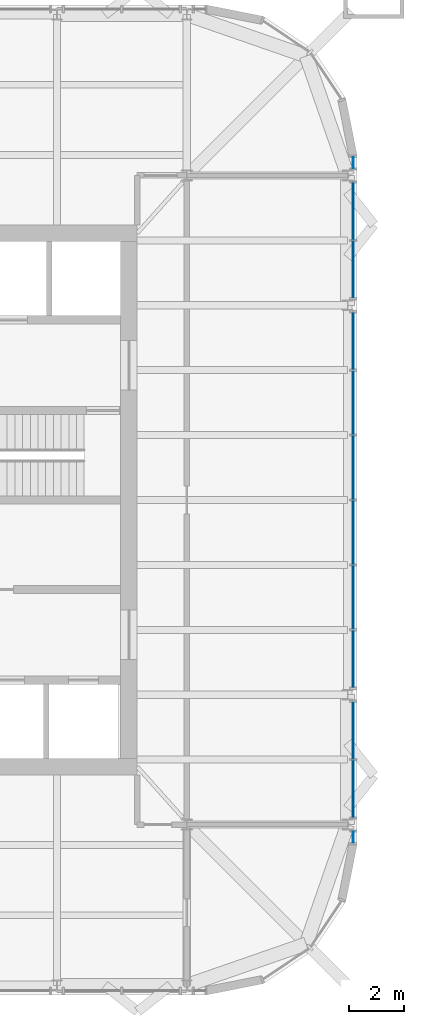
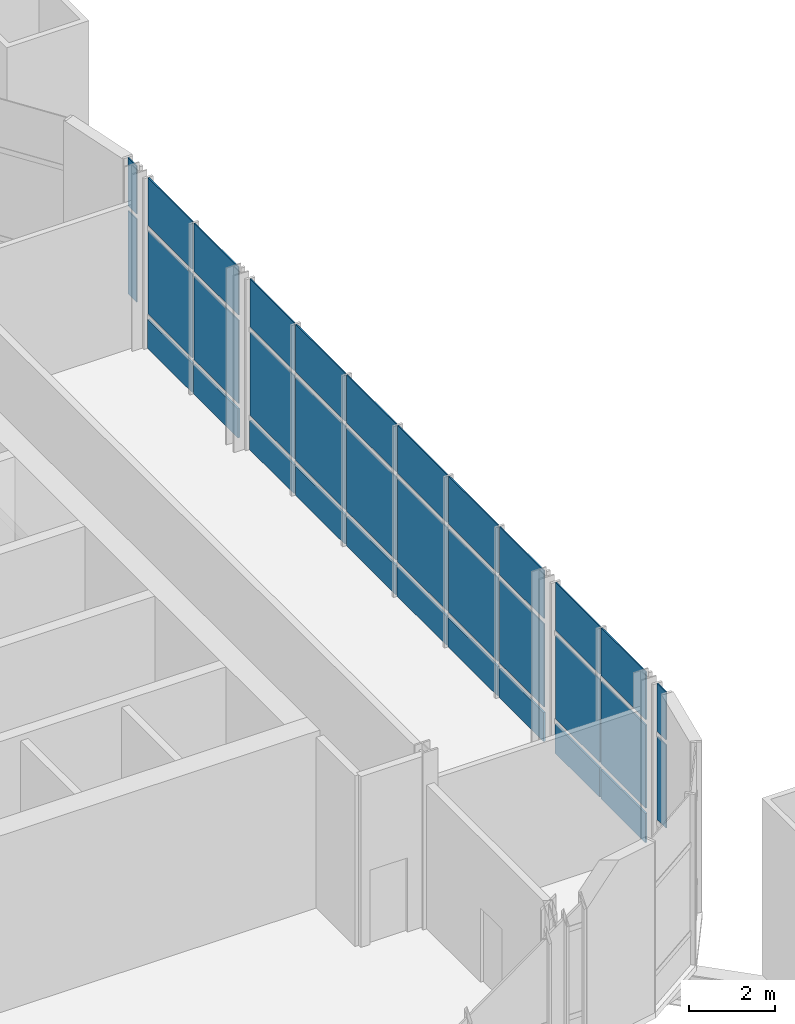
# One storey, part 11 of 15: 34 plates, 5 elements without a shape of their own.
"""IFC4 building model written with IfcOpenShell, lengths in metres."""

from ifc_helpers import new_model, si_unit, direction, frame, origin, origin_2d, place, context, subcontext, project, spatial, rectangle, extrude, material, layer, layer_set, type_object, element, aggregate, save


model = new_model("IFC4")

# Units and contexts
model_context = context("Model", 3, precision=1e-05, world=origin(), true_north=direction((0.0, 1.0)))
body_context = subcontext(model_context, "Body", "Model", "MODEL_VIEW")
ifc_project = project(units=[si_unit("LENGTHUNIT", "METRE"), si_unit("AREAUNIT", "SQUARE_METRE"), si_unit("VOLUMEUNIT", "CUBIC_METRE"), si_unit("PLANEANGLEUNIT", "RADIAN"), si_unit("MASSUNIT", "GRAM", prefix="KILO")], contexts=[model_context])

# Site, building, storey
site_placement = place(None, origin())
site = spatial("IfcSite", under=ifc_project, at=site_placement, CompositionType="ELEMENT")
building_placement = place(site_placement, origin())
building = spatial("IfcBuilding", under=site, at=building_placement, Name="Turquesa Mirador Hotel Tower", CompositionType="ELEMENT")
storey_placement = place(building_placement, frame((0.0, 0.0, 261.699951171875)))
storey = spatial("IfcBuildingStorey", under=building, at=storey_placement, Name="L71", CompositionType="ELEMENT", Elevation=261.699951171875)

# Curtain wall, plates
ifc_material_1 = material(Name="Aluminium extrusion", Category="aluminium")
curtain_wall_type = type_object("IfcCurtainWallType", Name="CW-5 SKY RESTAURANT CURTAIN WALL", PredefinedType="USERDEFINED", material=ifc_material_1)
curtain_wall_1_placement = place(storey_placement, origin())
curtain_wall_1 = element("IfcCurtainWall", 1, at=curtain_wall_1_placement, inside=storey, type_object=curtain_wall_type, Name="CW-5 SKY RESTAURANT CURTAIN WALL L71", ObjectType="CURTAIN WALL", PredefinedType="USERDEFINED")
ifc_material_2 = material(Name="Ceramic-printed spandrel glass on an insulated back pan", Category="glass")
ifc_layer_1 = layer(ifc_material_2, 0.050048828125)
ifc_layer_set_1 = layer_set([ifc_layer_1], Name="CW PANEL SPANDREL CERAMIC")
plate_type_1 = type_object("IfcPlateType", Name="CW PANEL SPANDREL CERAMIC", PredefinedType="CURTAIN_PANEL", material=ifc_layer_set_1)
plate_1_placement = place(storey_placement, frame((72.85009765625, 34.496826171875, 0.0), z_axis=(0.0, 0.0, 1.0), x_axis=(0.0, 1.0, 0.0)))
plate_1 = element("IfcPlate", 2, at=plate_1_placement, type_object=plate_type_1, Name="Panel", PredefinedType="CURTAIN_PANEL", context=body_context, shape_type="SweptSolid", body=[
    extrude(rectangle(XDim=2.06103515625, YDim=0.050048828125, at=origin_2d()), origin(), (0.0, 0.0, 1.0), 0.824951171875),
])
plate_2_placement = place(storey_placement, frame((72.85009765625, 36.623046875, 0.0), z_axis=(0.0, 0.0, 1.0), x_axis=(0.0, 1.0, 0.0)))
plate_2 = element("IfcPlate", 3, at=plate_2_placement, type_object=plate_type_1, Name="Panel", PredefinedType="CURTAIN_PANEL", context=body_context, shape_type="SweptSolid", body=[
    extrude(rectangle(XDim=2.06103515625, YDim=0.050048828125, at=origin_2d()), origin(), (0.0, 0.0, 1.0), 0.824951171875),
])

curtain_wall_2_placement = place(storey_placement, origin())
curtain_wall_2 = element("IfcCurtainWall", 4, at=curtain_wall_2_placement, inside=storey, type_object=curtain_wall_type, Name="CW-5 SKY RESTAURANT CURTAIN WALL L71", ObjectType="CURTAIN WALL", PredefinedType="USERDEFINED")
plate_3_placement = place(storey_placement, frame((72.85009765625, 39.217041015625, 0.0), z_axis=(0.0, 0.0, 1.0), x_axis=(0.0, 1.0, 0.0)))
plate_3 = element("IfcPlate", 5, at=plate_3_placement, type_object=plate_type_1, Name="Panel", PredefinedType="CURTAIN_PANEL", context=body_context, shape_type="SweptSolid", body=[
    extrude(rectangle(XDim=2.06103515625, YDim=0.050048828125, at=origin_2d()), origin(), (0.0, 0.0, 1.0), 0.824951171875),
])
plate_4_placement = place(storey_placement, frame((72.85009765625, 41.4599609375, 0.0), z_axis=(0.0, 0.0, 1.0), x_axis=(0.0, 1.0, 0.0)))
plate_4 = element("IfcPlate", 6, at=plate_4_placement, type_object=plate_type_1, Name="Panel", PredefinedType="CURTAIN_PANEL", context=body_context, shape_type="SweptSolid", body=[
    extrude(rectangle(XDim=2.294921875, YDim=0.050048828125, at=origin_2d()), origin(), (0.0, 0.0, 1.0), 0.824951171875),
])
plate_5_placement = place(storey_placement, frame((72.85009765625, 43.820068359375, 0.0), z_axis=(0.0, 0.0, 1.0), x_axis=(0.0, 1.0, 0.0)))
plate_5 = element("IfcPlate", 7, at=plate_5_placement, type_object=plate_type_1, Name="Panel", PredefinedType="CURTAIN_PANEL", context=body_context, shape_type="SweptSolid", body=[
    extrude(rectangle(XDim=2.294921875, YDim=0.050048828125, at=origin_2d()), origin(), (0.0, 0.0, 1.0), 0.824951171875),
])
plate_6_placement = place(storey_placement, frame((72.85009765625, 46.179931640625, 0.0), z_axis=(0.0, 0.0, 1.0), x_axis=(0.0, 1.0, 0.0)))
plate_6 = element("IfcPlate", 8, at=plate_6_placement, type_object=plate_type_1, Name="Panel", PredefinedType="CURTAIN_PANEL", context=body_context, shape_type="SweptSolid", body=[
    extrude(rectangle(XDim=2.294921875, YDim=0.050048828125, at=origin_2d()), origin(), (0.0, 0.0, 1.0), 0.824951171875),
])
plate_7_placement = place(storey_placement, frame((72.85009765625, 48.5400390625, 0.0), z_axis=(0.0, 0.0, 1.0), x_axis=(0.0, 1.0, 0.0)))
plate_7 = element("IfcPlate", 9, at=plate_7_placement, type_object=plate_type_1, Name="Panel", PredefinedType="CURTAIN_PANEL", context=body_context, shape_type="SweptSolid", body=[
    extrude(rectangle(XDim=2.294921875, YDim=0.050048828125, at=origin_2d()), origin(), (0.0, 0.0, 1.0), 0.824951171875),
])
plate_8_placement = place(storey_placement, frame((72.85009765625, 50.782958984375, 0.0), z_axis=(0.0, 0.0, 1.0), x_axis=(0.0, 1.0, 0.0)))
plate_8 = element("IfcPlate", 10, at=plate_8_placement, type_object=plate_type_1, Name="Panel", PredefinedType="CURTAIN_PANEL", context=body_context, shape_type="SweptSolid", body=[
    extrude(rectangle(XDim=2.06103515625, YDim=0.050048828125, at=origin_2d()), origin(), (0.0, 0.0, 1.0), 0.824951171875),
])

curtain_wall_3_placement = place(storey_placement, origin())
curtain_wall_3 = element("IfcCurtainWall", 11, at=curtain_wall_3_placement, inside=storey, type_object=curtain_wall_type, Name="CW-5 SKY RESTAURANT CURTAIN WALL L71", ObjectType="CURTAIN WALL", PredefinedType="USERDEFINED")
plate_9_placement = place(storey_placement, frame((72.85009765625, 53.376953125, 0.0), z_axis=(0.0, 0.0, 1.0), x_axis=(0.0, 1.0, 0.0)))
plate_9 = element("IfcPlate", 12, at=plate_9_placement, type_object=plate_type_1, Name="Panel", PredefinedType="CURTAIN_PANEL", context=body_context, shape_type="SweptSolid", body=[
    extrude(rectangle(XDim=2.06103515625, YDim=0.050048828125, at=origin_2d()), origin(), (0.0, 0.0, 1.0), 0.824951171875),
])
plate_10_placement = place(storey_placement, frame((72.85009765625, 55.503173828125, 0.0), z_axis=(0.0, 0.0, 1.0), x_axis=(0.0, 1.0, 0.0)))
plate_10 = element("IfcPlate", 13, at=plate_10_placement, type_object=plate_type_1, Name="Panel", PredefinedType="CURTAIN_PANEL", context=body_context, shape_type="SweptSolid", body=[
    extrude(rectangle(XDim=2.06103515625, YDim=0.050048828125, at=origin_2d()), origin(), (0.0, 0.0, 1.0), 0.824951171875),
])

curtain_wall_4_placement = place(storey_placement, origin())
curtain_wall_4 = element("IfcCurtainWall", 14, at=curtain_wall_4_placement, inside=storey, type_object=curtain_wall_type, Name="CW-5 SKY RESTAURANT CURTAIN WALL L71", ObjectType="CURTAIN WALL", PredefinedType="USERDEFINED")
ifc_material_3 = material(Name="Ceramic-fritted laminated glass", Category="glass")
ifc_layer_2 = layer(ifc_material_3, 0.031982421875)
ifc_layer_set_2 = layer_set([ifc_layer_2], Name="CW PANEL VISION FRITTED")
plate_type_2 = type_object("IfcPlateType", Name="CW PANEL VISION FRITTED", PredefinedType="CURTAIN_PANEL", material=ifc_layer_set_2)
plate_11_placement = place(storey_placement, frame((72.85009765625, 32.733154296875, 0.97509765625), z_axis=(0.0, 0.0, 1.0), x_axis=(0.0, 1.0, 0.0)))
plate_11 = element("IfcPlate", 15, at=plate_11_placement, type_object=plate_type_2, Name="Panel", PredefinedType="CURTAIN_PANEL", context=body_context, shape_type="SweptSolid", body=[
    extrude(rectangle(XDim=0.401123046875, YDim=0.031982421875, at=origin_2d()), origin(), (0.0, 0.0, 1.0), 2.35009765625),
])
plate_12_placement = place(storey_placement, frame((72.85009765625, 32.733154296875, 3.47509765625), z_axis=(0.0, 0.0, 1.0), x_axis=(0.0, 1.0, 0.0)))
plate_12 = element("IfcPlate", 16, at=plate_12_placement, type_object=plate_type_2, Name="Panel", PredefinedType="CURTAIN_PANEL", context=body_context, shape_type="SweptSolid", body=[
    extrude(rectangle(XDim=0.401123046875, YDim=0.031982421875, at=origin_2d()), origin(), (0.0, 0.0, 1.0), 1.35498046875),
])
aggregate(curtain_wall_4, [plate_11, plate_12])

# Plate
plate_13_placement = place(storey_placement, frame((72.85009765625, 34.496826171875, 0.97509765625), z_axis=(0.0, 0.0, 1.0), x_axis=(0.0, 1.0, 0.0)))
plate_13 = element("IfcPlate", 17, at=plate_13_placement, type_object=plate_type_2, Name="Panel", PredefinedType="CURTAIN_PANEL", context=body_context, shape_type="SweptSolid", body=[
    extrude(rectangle(XDim=2.06103515625, YDim=0.031982421875, at=origin_2d()), origin(), (0.0, 0.0, 1.0), 2.35009765625),
])

plate_14_placement = place(storey_placement, frame((72.85009765625, 34.496826171875, 3.47509765625), z_axis=(0.0, 0.0, 1.0), x_axis=(0.0, 1.0, 0.0)))
plate_14 = element("IfcPlate", 18, at=plate_14_placement, type_object=plate_type_2, Name="Panel", PredefinedType="CURTAIN_PANEL", context=body_context, shape_type="SweptSolid", body=[
    extrude(rectangle(XDim=2.06103515625, YDim=0.031982421875, at=origin_2d()), origin(), (0.0, 0.0, 1.0), 1.35498046875),
])

plate_15_placement = place(storey_placement, frame((72.85009765625, 36.623046875, 0.97509765625), z_axis=(0.0, 0.0, 1.0), x_axis=(0.0, 1.0, 0.0)))
plate_15 = element("IfcPlate", 19, at=plate_15_placement, type_object=plate_type_2, Name="Panel", PredefinedType="CURTAIN_PANEL", context=body_context, shape_type="SweptSolid", body=[
    extrude(rectangle(XDim=2.06103515625, YDim=0.031982421875, at=origin_2d()), origin(), (0.0, 0.0, 1.0), 2.35009765625),
])

plate_16_placement = place(storey_placement, frame((72.85009765625, 36.623046875, 3.47509765625), z_axis=(0.0, 0.0, 1.0), x_axis=(0.0, 1.0, 0.0)))
plate_16 = element("IfcPlate", 20, at=plate_16_placement, type_object=plate_type_2, Name="Panel", PredefinedType="CURTAIN_PANEL", context=body_context, shape_type="SweptSolid", body=[
    extrude(rectangle(XDim=2.06103515625, YDim=0.031982421875, at=origin_2d()), origin(), (0.0, 0.0, 1.0), 1.35498046875),
])

aggregate(curtain_wall_1, [plate_1, plate_13, plate_14, plate_2, plate_15, plate_16])

plate_17_placement = place(storey_placement, frame((72.85009765625, 39.217041015625, 0.97509765625), z_axis=(0.0, 0.0, 1.0), x_axis=(0.0, 1.0, 0.0)))
plate_17 = element("IfcPlate", 21, at=plate_17_placement, type_object=plate_type_2, Name="Panel", PredefinedType="CURTAIN_PANEL", context=body_context, shape_type="SweptSolid", body=[
    extrude(rectangle(XDim=2.06103515625, YDim=0.031982421875, at=origin_2d()), origin(), (0.0, 0.0, 1.0), 2.35009765625),
])

plate_18_placement = place(storey_placement, frame((72.85009765625, 39.217041015625, 3.47509765625), z_axis=(0.0, 0.0, 1.0), x_axis=(0.0, 1.0, 0.0)))
plate_18 = element("IfcPlate", 22, at=plate_18_placement, type_object=plate_type_2, Name="Panel", PredefinedType="CURTAIN_PANEL", context=body_context, shape_type="SweptSolid", body=[
    extrude(rectangle(XDim=2.06103515625, YDim=0.031982421875, at=origin_2d()), origin(), (0.0, 0.0, 1.0), 1.35498046875),
])

plate_19_placement = place(storey_placement, frame((72.85009765625, 41.4599609375, 0.97509765625), z_axis=(0.0, 0.0, 1.0), x_axis=(0.0, 1.0, 0.0)))
plate_19 = element("IfcPlate", 23, at=plate_19_placement, type_object=plate_type_2, Name="Panel", PredefinedType="CURTAIN_PANEL", context=body_context, shape_type="SweptSolid", body=[
    extrude(rectangle(XDim=2.294921875, YDim=0.031982421875, at=origin_2d()), origin(), (0.0, 0.0, 1.0), 2.35009765625),
])

plate_20_placement = place(storey_placement, frame((72.85009765625, 41.4599609375, 3.47509765625), z_axis=(0.0, 0.0, 1.0), x_axis=(0.0, 1.0, 0.0)))
plate_20 = element("IfcPlate", 24, at=plate_20_placement, type_object=plate_type_2, Name="Panel", PredefinedType="CURTAIN_PANEL", context=body_context, shape_type="SweptSolid", body=[
    extrude(rectangle(XDim=2.294921875, YDim=0.031982421875, at=origin_2d()), origin(), (0.0, 0.0, 1.0), 1.35498046875),
])

plate_21_placement = place(storey_placement, frame((72.85009765625, 43.820068359375, 0.97509765625), z_axis=(0.0, 0.0, 1.0), x_axis=(0.0, 1.0, 0.0)))
plate_21 = element("IfcPlate", 25, at=plate_21_placement, type_object=plate_type_2, Name="Panel", PredefinedType="CURTAIN_PANEL", context=body_context, shape_type="SweptSolid", body=[
    extrude(rectangle(XDim=2.294921875, YDim=0.031982421875, at=origin_2d()), origin(), (0.0, 0.0, 1.0), 2.35009765625),
])

plate_22_placement = place(storey_placement, frame((72.85009765625, 43.820068359375, 3.47509765625), z_axis=(0.0, 0.0, 1.0), x_axis=(0.0, 1.0, 0.0)))
plate_22 = element("IfcPlate", 26, at=plate_22_placement, type_object=plate_type_2, Name="Panel", PredefinedType="CURTAIN_PANEL", context=body_context, shape_type="SweptSolid", body=[
    extrude(rectangle(XDim=2.294921875, YDim=0.031982421875, at=origin_2d()), origin(), (0.0, 0.0, 1.0), 1.35498046875),
])

plate_23_placement = place(storey_placement, frame((72.85009765625, 46.179931640625, 0.97509765625), z_axis=(0.0, 0.0, 1.0), x_axis=(0.0, 1.0, 0.0)))
plate_23 = element("IfcPlate", 27, at=plate_23_placement, type_object=plate_type_2, Name="Panel", PredefinedType="CURTAIN_PANEL", context=body_context, shape_type="SweptSolid", body=[
    extrude(rectangle(XDim=2.294921875, YDim=0.031982421875, at=origin_2d()), origin(), (0.0, 0.0, 1.0), 2.35009765625),
])

plate_24_placement = place(storey_placement, frame((72.85009765625, 46.179931640625, 3.47509765625), z_axis=(0.0, 0.0, 1.0), x_axis=(0.0, 1.0, 0.0)))
plate_24 = element("IfcPlate", 28, at=plate_24_placement, type_object=plate_type_2, Name="Panel", PredefinedType="CURTAIN_PANEL", context=body_context, shape_type="SweptSolid", body=[
    extrude(rectangle(XDim=2.294921875, YDim=0.031982421875, at=origin_2d()), origin(), (0.0, 0.0, 1.0), 1.35498046875),
])

plate_25_placement = place(storey_placement, frame((72.85009765625, 48.5400390625, 0.97509765625), z_axis=(0.0, 0.0, 1.0), x_axis=(0.0, 1.0, 0.0)))
plate_25 = element("IfcPlate", 29, at=plate_25_placement, type_object=plate_type_2, Name="Panel", PredefinedType="CURTAIN_PANEL", context=body_context, shape_type="SweptSolid", body=[
    extrude(rectangle(XDim=2.294921875, YDim=0.031982421875, at=origin_2d()), origin(), (0.0, 0.0, 1.0), 2.35009765625),
])

plate_26_placement = place(storey_placement, frame((72.85009765625, 48.5400390625, 3.47509765625), z_axis=(0.0, 0.0, 1.0), x_axis=(0.0, 1.0, 0.0)))
plate_26 = element("IfcPlate", 30, at=plate_26_placement, type_object=plate_type_2, Name="Panel", PredefinedType="CURTAIN_PANEL", context=body_context, shape_type="SweptSolid", body=[
    extrude(rectangle(XDim=2.294921875, YDim=0.031982421875, at=origin_2d()), origin(), (0.0, 0.0, 1.0), 1.35498046875),
])

plate_27_placement = place(storey_placement, frame((72.85009765625, 50.782958984375, 0.97509765625), z_axis=(0.0, 0.0, 1.0), x_axis=(0.0, 1.0, 0.0)))
plate_27 = element("IfcPlate", 31, at=plate_27_placement, type_object=plate_type_2, Name="Panel", PredefinedType="CURTAIN_PANEL", context=body_context, shape_type="SweptSolid", body=[
    extrude(rectangle(XDim=2.06103515625, YDim=0.031982421875, at=origin_2d()), origin(), (0.0, 0.0, 1.0), 2.35009765625),
])

plate_28_placement = place(storey_placement, frame((72.85009765625, 50.782958984375, 3.47509765625), z_axis=(0.0, 0.0, 1.0), x_axis=(0.0, 1.0, 0.0)))
plate_28 = element("IfcPlate", 32, at=plate_28_placement, type_object=plate_type_2, Name="Panel", PredefinedType="CURTAIN_PANEL", context=body_context, shape_type="SweptSolid", body=[
    extrude(rectangle(XDim=2.06103515625, YDim=0.031982421875, at=origin_2d()), origin(), (0.0, 0.0, 1.0), 1.35498046875),
])

aggregate(curtain_wall_2, [plate_3, plate_17, plate_18, plate_4, plate_19, plate_20, plate_5, plate_21, plate_22, plate_6, plate_23, plate_24, plate_7, plate_25, plate_26, plate_8, plate_27, plate_28])

plate_29_placement = place(storey_placement, frame((72.85009765625, 53.376953125, 0.97509765625), z_axis=(0.0, 0.0, 1.0), x_axis=(0.0, 1.0, 0.0)))
plate_29 = element("IfcPlate", 33, at=plate_29_placement, type_object=plate_type_2, Name="Panel", PredefinedType="CURTAIN_PANEL", context=body_context, shape_type="SweptSolid", body=[
    extrude(rectangle(XDim=2.06103515625, YDim=0.031982421875, at=origin_2d()), origin(), (0.0, 0.0, 1.0), 2.35009765625),
])

plate_30_placement = place(storey_placement, frame((72.85009765625, 53.376953125, 3.47509765625), z_axis=(0.0, 0.0, 1.0), x_axis=(0.0, 1.0, 0.0)))
plate_30 = element("IfcPlate", 34, at=plate_30_placement, type_object=plate_type_2, Name="Panel", PredefinedType="CURTAIN_PANEL", context=body_context, shape_type="SweptSolid", body=[
    extrude(rectangle(XDim=2.06103515625, YDim=0.031982421875, at=origin_2d()), origin(), (0.0, 0.0, 1.0), 1.35498046875),
])

plate_31_placement = place(storey_placement, frame((72.85009765625, 55.503173828125, 0.97509765625), z_axis=(0.0, 0.0, 1.0), x_axis=(0.0, 1.0, 0.0)))
plate_31 = element("IfcPlate", 35, at=plate_31_placement, type_object=plate_type_2, Name="Panel", PredefinedType="CURTAIN_PANEL", context=body_context, shape_type="SweptSolid", body=[
    extrude(rectangle(XDim=2.06103515625, YDim=0.031982421875, at=origin_2d()), origin(), (0.0, 0.0, 1.0), 2.35009765625),
])

plate_32_placement = place(storey_placement, frame((72.85009765625, 55.503173828125, 3.47509765625), z_axis=(0.0, 0.0, 1.0), x_axis=(0.0, 1.0, 0.0)))
plate_32 = element("IfcPlate", 36, at=plate_32_placement, type_object=plate_type_2, Name="Panel", PredefinedType="CURTAIN_PANEL", context=body_context, shape_type="SweptSolid", body=[
    extrude(rectangle(XDim=2.06103515625, YDim=0.031982421875, at=origin_2d()), origin(), (0.0, 0.0, 1.0), 1.35498046875),
])

aggregate(curtain_wall_3, [plate_9, plate_29, plate_30, plate_10, plate_31, plate_32])

# Curtain wall, plates
curtain_wall_5_placement = place(storey_placement, origin())
curtain_wall_5 = element("IfcCurtainWall", 37, at=curtain_wall_5_placement, inside=storey, type_object=curtain_wall_type, Name="CW-5 SKY RESTAURANT CURTAIN WALL L71", ObjectType="CURTAIN WALL", PredefinedType="USERDEFINED")
plate_33_placement = place(storey_placement, frame((72.85009765625, 57.266845703125, 0.97509765625), z_axis=(0.0, 0.0, 1.0), x_axis=(0.0, 1.0, 0.0)))
plate_33 = element("IfcPlate", 38, at=plate_33_placement, type_object=plate_type_2, Name="Panel", PredefinedType="CURTAIN_PANEL", context=body_context, shape_type="SweptSolid", body=[
    extrude(rectangle(XDim=0.401123046875, YDim=0.031982421875, at=origin_2d()), origin(), (0.0, 0.0, 1.0), 2.35009765625),
])
plate_34_placement = place(storey_placement, frame((72.85009765625, 57.266845703125, 3.47509765625), z_axis=(0.0, 0.0, 1.0), x_axis=(0.0, 1.0, 0.0)))
plate_34 = element("IfcPlate", 39, at=plate_34_placement, type_object=plate_type_2, Name="Panel", PredefinedType="CURTAIN_PANEL", context=body_context, shape_type="SweptSolid", body=[
    extrude(rectangle(XDim=0.401123046875, YDim=0.031982421875, at=origin_2d()), origin(), (0.0, 0.0, 1.0), 1.35498046875),
])
aggregate(curtain_wall_5, [plate_33, plate_34])

save(model, "model.ifc")
